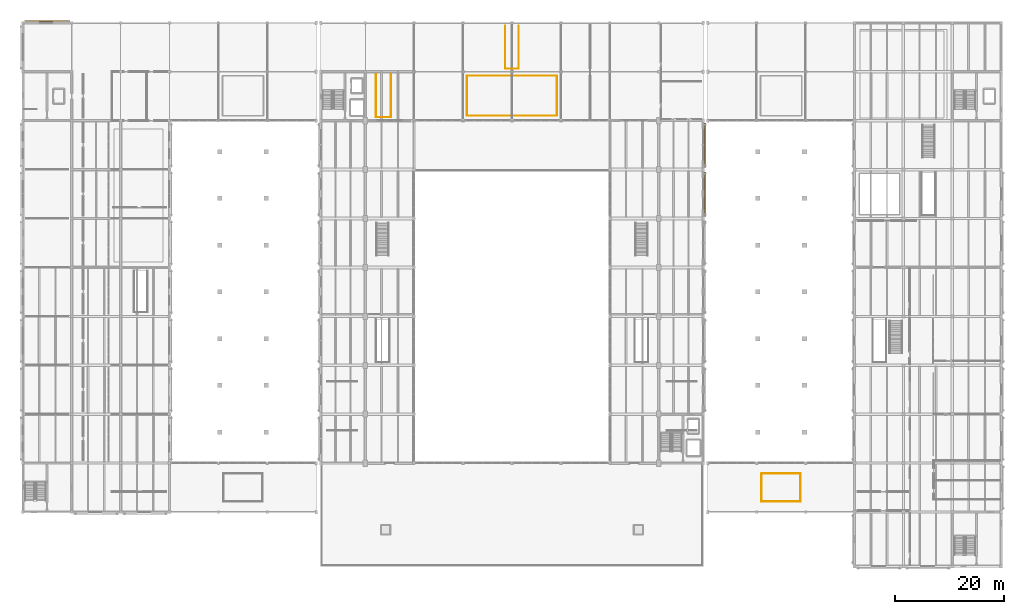
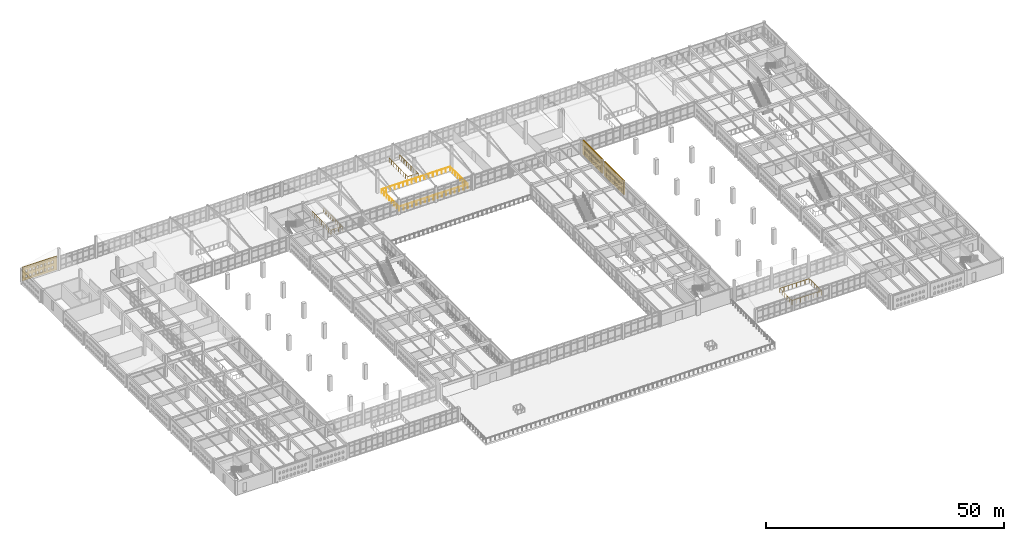
# One storey, part 151 of 156: 4 railings, 3 coverings.
"""IFC4 building model written with IfcOpenShell, lengths in metres."""

from ifc_helpers import new_model, si_unit, direction, frame, origin, origin_2d, place, context, subcontext, project, spatial, polyline, circle, outline, extrude, material, layer, layer_set, type_object, element, save


model = new_model("IFC4")

# Units and contexts
model_context = context("Model", 3, precision=1e-05, world=origin(), true_north=direction((0.0, 1.0)))
body_context = subcontext(model_context, "Body", "Model", "MODEL_VIEW")
ifc_project = project(units=[si_unit("LENGTHUNIT", "METRE"), si_unit("AREAUNIT", "SQUARE_METRE"), si_unit("VOLUMEUNIT", "CUBIC_METRE"), si_unit("PLANEANGLEUNIT", "RADIAN"), si_unit("MASSUNIT", "GRAM", prefix="KILO")], contexts=[model_context])

# Site, building, storey
site_placement = place(None, origin())
site = spatial("IfcSite", under=ifc_project, at=site_placement, CompositionType="ELEMENT")
building_placement = place(site_placement, origin())
building = spatial("IfcBuilding", under=site, at=building_placement, Name="Ornek Quay Market", CompositionType="ELEMENT")
storey_placement = place(building_placement, frame((0.0, 0.0, 4.5)))
storey = spatial("IfcBuildingStorey", under=building, at=storey_placement, Name="L01", CompositionType="ELEMENT", Elevation=4.5)

# Coverings
ifc_material_1 = material(Name="Frost-resistant facing clay brick M200 F100", Category="masonry")
ifc_layer_1 = layer(ifc_material_1, 0.25, Name="Frost-resistant facing clay brick M200 F100", Category="masonry")
ifc_layer_set_1 = layer_set([ifc_layer_1], Name="Frost-resistant facing clay brick M200 F100")
covering_type_1 = type_object("IfcCoveringType", Name="COV-BRICK-LATTICE-250", PredefinedType="CLADDING", material=ifc_layer_set_1)
covering_1_placement = place(storey_placement, frame((0.35009765625, 110.340087890625, 0.0), z_axis=(0.0, 0.0, 1.0), x_axis=(1.0, 0.0, 0.0)))
element("IfcCovering", 1, at=covering_1_placement, inside=storey, type_object=covering_type_1, Name="Arched brick lattice screen BLS-030", PredefinedType="CLADDING", context=body_context, shape_type="SweptSolid", body=[
    extrude(outline(polyline([(0.0, 0.0), (8.2998046875, 0.0), (8.2998046875, 3.47998046875), (0.0, 3.47998046875), (0.0, 0.0)]), holes=[polyline([(0.760009765625, 0.550048828125), (1.239990234375, 0.550048828125), (1.239990234375, 1.050048828125), (1.1201171875, 1.2578125), (0.8798828125, 1.2578125), (0.760009765625, 1.050048828125), (0.760009765625, 0.550048828125)]), polyline([(0.760009765625, 1.949951171875), (1.239990234375, 1.949951171875), (1.239990234375, 2.449951171875), (1.1201171875, 2.65771484375), (0.8798828125, 2.65771484375), (0.760009765625, 2.449951171875), (0.760009765625, 1.949951171875)]), polyline([(1.659912109375, 0.550048828125), (2.139892578125, 0.550048828125), (2.139892578125, 1.050048828125), (2.02001953125, 1.2578125), (1.780029296875, 1.2578125), (1.659912109375, 1.050048828125), (1.659912109375, 0.550048828125)]), polyline([(1.659912109375, 1.949951171875), (2.139892578125, 1.949951171875), (2.139892578125, 2.449951171875), (2.02001953125, 2.65771484375), (1.780029296875, 2.65771484375), (1.659912109375, 2.449951171875), (1.659912109375, 1.949951171875)]), polyline([(2.56005859375, 0.550048828125), (3.0400390625, 0.550048828125), (3.0400390625, 1.050048828125), (2.919921875, 1.2578125), (2.679931640625, 1.2578125), (2.56005859375, 1.050048828125), (2.56005859375, 0.550048828125)]), polyline([(2.56005859375, 1.949951171875), (3.0400390625, 1.949951171875), (3.0400390625, 2.449951171875), (2.919921875, 2.65771484375), (2.679931640625, 2.65771484375), (2.56005859375, 2.449951171875), (2.56005859375, 1.949951171875)]), polyline([(3.4599609375, 0.550048828125), (3.93994140625, 0.550048828125), (3.93994140625, 1.050048828125), (3.820068359375, 1.2578125), (3.580078125, 1.2578125), (3.4599609375, 1.050048828125), (3.4599609375, 0.550048828125)]), polyline([(3.4599609375, 1.949951171875), (3.93994140625, 1.949951171875), (3.93994140625, 2.449951171875), (3.820068359375, 2.65771484375), (3.580078125, 2.65771484375), (3.4599609375, 2.449951171875), (3.4599609375, 1.949951171875)]), polyline([(4.360107421875, 0.550048828125), (4.840087890625, 0.550048828125), (4.840087890625, 1.050048828125), (4.719970703125, 1.2578125), (4.47998046875, 1.2578125), (4.360107421875, 1.050048828125), (4.360107421875, 0.550048828125)]), polyline([(4.360107421875, 1.949951171875), (4.840087890625, 1.949951171875), (4.840087890625, 2.449951171875), (4.719970703125, 2.65771484375), (4.47998046875, 2.65771484375), (4.360107421875, 2.449951171875), (4.360107421875, 1.949951171875)]), polyline([(5.260009765625, 0.550048828125), (5.739990234375, 0.550048828125), (5.739990234375, 1.050048828125), (5.6201171875, 1.2578125), (5.3798828125, 1.2578125), (5.260009765625, 1.050048828125), (5.260009765625, 0.550048828125)]), polyline([(5.260009765625, 1.949951171875), (5.739990234375, 1.949951171875), (5.739990234375, 2.449951171875), (5.6201171875, 2.65771484375), (5.3798828125, 2.65771484375), (5.260009765625, 2.449951171875), (5.260009765625, 1.949951171875)]), polyline([(6.159912109375, 0.550048828125), (6.639892578125, 0.550048828125), (6.639892578125, 1.050048828125), (6.52001953125, 1.2578125), (6.280029296875, 1.2578125), (6.159912109375, 1.050048828125), (6.159912109375, 0.550048828125)]), polyline([(6.159912109375, 1.949951171875), (6.639892578125, 1.949951171875), (6.639892578125, 2.449951171875), (6.52001953125, 2.65771484375), (6.280029296875, 2.65771484375), (6.159912109375, 2.449951171875), (6.159912109375, 1.949951171875)]), polyline([(7.06005859375, 0.550048828125), (7.5400390625, 0.550048828125), (7.5400390625, 1.050048828125), (7.419921875, 1.2578125), (7.179931640625, 1.2578125), (7.06005859375, 1.050048828125), (7.06005859375, 0.550048828125)]), polyline([(7.06005859375, 1.949951171875), (7.5400390625, 1.949951171875), (7.5400390625, 2.449951171875), (7.419921875, 2.65771484375), (7.179931640625, 2.65771484375), (7.06005859375, 2.449951171875), (7.06005859375, 1.949951171875)])]), frame((0.0, 0.125, 0.0), z_axis=(0.0, -1.0, 0.0), x_axis=(1.0, 0.0, 0.0)), (0.0, 0.0, 1.0), 0.25),
])
ifc_layer_2 = layer(ifc_material_1, 0.2900390625, Name="Frost-resistant facing clay brick M200 F100", Category="masonry")
ifc_layer_set_2 = layer_set([ifc_layer_2], Name="Frost-resistant facing clay brick M200 F100")
covering_type_2 = type_object("IfcCoveringType", Name="COV-BRICK-LATTICE-290", PredefinedType="CLADDING", material=ifc_layer_set_2)
covering_2_placement = place(storey_placement, frame((125.5400390625, 74.39990234375, 0.0), z_axis=(0.0, 0.0, 1.0), x_axis=(0.0, 1.0, 0.0)))
element("IfcCovering", 2, at=covering_2_placement, inside=storey, type_object=covering_type_2, Name="Arched brick lattice screen BLS-053", PredefinedType="CLADDING", context=body_context, shape_type="SweptSolid", body=[
    extrude(outline(polyline([(0.0, 0.0), (8.2001953125, 0.0), (8.2001953125, 3.659912109375), (0.0, 3.659912109375), (0.0, 0.0)]), holes=[polyline([(0.7099609375, 0.550048828125), (1.18994140625, 0.550048828125), (1.18994140625, 1.050048828125), (1.070068359375, 1.2578125), (0.830078125, 1.2578125), (0.7099609375, 1.050048828125), (0.7099609375, 0.550048828125)]), polyline([(0.7099609375, 1.949951171875), (1.18994140625, 1.949951171875), (1.18994140625, 2.449951171875), (1.070068359375, 2.65771484375), (0.830078125, 2.65771484375), (0.7099609375, 2.449951171875), (0.7099609375, 1.949951171875)]), polyline([(1.610107421875, 0.550048828125), (2.090087890625, 0.550048828125), (2.090087890625, 1.050048828125), (1.969970703125, 1.2578125), (1.72998046875, 1.2578125), (1.610107421875, 1.050048828125), (1.610107421875, 0.550048828125)]), polyline([(1.610107421875, 1.949951171875), (2.090087890625, 1.949951171875), (2.090087890625, 2.449951171875), (1.969970703125, 2.65771484375), (1.72998046875, 2.65771484375), (1.610107421875, 2.449951171875), (1.610107421875, 1.949951171875)]), polyline([(2.510009765625, 0.550048828125), (2.989990234375, 0.550048828125), (2.989990234375, 1.050048828125), (2.8701171875, 1.2578125), (2.6298828125, 1.2578125), (2.510009765625, 1.050048828125), (2.510009765625, 0.550048828125)]), polyline([(2.510009765625, 1.949951171875), (2.989990234375, 1.949951171875), (2.989990234375, 2.449951171875), (2.8701171875, 2.65771484375), (2.6298828125, 2.65771484375), (2.510009765625, 2.449951171875), (2.510009765625, 1.949951171875)]), polyline([(3.409912109375, 0.550048828125), (3.889892578125, 0.550048828125), (3.889892578125, 1.050048828125), (3.77001953125, 1.2578125), (3.530029296875, 1.2578125), (3.409912109375, 1.050048828125), (3.409912109375, 0.550048828125)]), polyline([(3.409912109375, 1.949951171875), (3.889892578125, 1.949951171875), (3.889892578125, 2.449951171875), (3.77001953125, 2.65771484375), (3.530029296875, 2.65771484375), (3.409912109375, 2.449951171875), (3.409912109375, 1.949951171875)]), polyline([(4.31005859375, 0.550048828125), (4.7900390625, 0.550048828125), (4.7900390625, 1.050048828125), (4.669921875, 1.2578125), (4.429931640625, 1.2578125), (4.31005859375, 1.050048828125), (4.31005859375, 0.550048828125)]), polyline([(4.31005859375, 1.949951171875), (4.7900390625, 1.949951171875), (4.7900390625, 2.449951171875), (4.669921875, 2.65771484375), (4.429931640625, 2.65771484375), (4.31005859375, 2.449951171875), (4.31005859375, 1.949951171875)]), polyline([(5.2099609375, 0.550048828125), (5.68994140625, 0.550048828125), (5.68994140625, 1.050048828125), (5.570068359375, 1.2578125), (5.330078125, 1.2578125), (5.2099609375, 1.050048828125), (5.2099609375, 0.550048828125)]), polyline([(5.2099609375, 1.949951171875), (5.68994140625, 1.949951171875), (5.68994140625, 2.449951171875), (5.570068359375, 2.65771484375), (5.330078125, 2.65771484375), (5.2099609375, 2.449951171875), (5.2099609375, 1.949951171875)]), polyline([(6.110107421875, 0.550048828125), (6.590087890625, 0.550048828125), (6.590087890625, 1.050048828125), (6.469970703125, 1.2578125), (6.22998046875, 1.2578125), (6.110107421875, 1.050048828125), (6.110107421875, 0.550048828125)]), polyline([(6.110107421875, 1.949951171875), (6.590087890625, 1.949951171875), (6.590087890625, 2.449951171875), (6.469970703125, 2.65771484375), (6.22998046875, 2.65771484375), (6.110107421875, 2.449951171875), (6.110107421875, 1.949951171875)]), polyline([(7.010009765625, 0.550048828125), (7.489990234375, 0.550048828125), (7.489990234375, 1.050048828125), (7.3701171875, 1.2578125), (7.1298828125, 1.2578125), (7.010009765625, 1.050048828125), (7.010009765625, 0.550048828125)]), polyline([(7.010009765625, 1.949951171875), (7.489990234375, 1.949951171875), (7.489990234375, 2.449951171875), (7.3701171875, 2.65771484375), (7.1298828125, 2.65771484375), (7.010009765625, 2.449951171875), (7.010009765625, 1.949951171875)])]), frame((0.0, 0.14501953125, 0.0), z_axis=(0.0, -1.0, 0.0), x_axis=(1.0, 0.0, 0.0)), (0.0, 0.0, 1.0), 0.2900390625),
])
covering_3_placement = place(storey_placement, frame((125.5400390625, 83.39990234375, 0.0), z_axis=(0.0, 0.0, 1.0), x_axis=(0.0, 1.0, 0.0)))
element("IfcCovering", 3, at=covering_3_placement, inside=storey, type_object=covering_type_2, Name="Arched brick lattice screen BLS-054", PredefinedType="CLADDING", context=body_context, shape_type="SweptSolid", body=[
    extrude(outline(polyline([(0.0, 0.0), (8.2001953125, 0.0), (8.2001953125, 3.659912109375), (0.0, 3.659912109375), (0.0, 0.0)]), holes=[polyline([(0.7099609375, 0.550048828125), (1.18994140625, 0.550048828125), (1.18994140625, 1.050048828125), (1.070068359375, 1.2578125), (0.830078125, 1.2578125), (0.7099609375, 1.050048828125), (0.7099609375, 0.550048828125)]), polyline([(0.7099609375, 1.949951171875), (1.18994140625, 1.949951171875), (1.18994140625, 2.449951171875), (1.070068359375, 2.65771484375), (0.830078125, 2.65771484375), (0.7099609375, 2.449951171875), (0.7099609375, 1.949951171875)]), polyline([(1.610107421875, 0.550048828125), (2.090087890625, 0.550048828125), (2.090087890625, 1.050048828125), (1.969970703125, 1.2578125), (1.72998046875, 1.2578125), (1.610107421875, 1.050048828125), (1.610107421875, 0.550048828125)]), polyline([(1.610107421875, 1.949951171875), (2.090087890625, 1.949951171875), (2.090087890625, 2.449951171875), (1.969970703125, 2.65771484375), (1.72998046875, 2.65771484375), (1.610107421875, 2.449951171875), (1.610107421875, 1.949951171875)]), polyline([(2.510009765625, 0.550048828125), (2.989990234375, 0.550048828125), (2.989990234375, 1.050048828125), (2.8701171875, 1.2578125), (2.6298828125, 1.2578125), (2.510009765625, 1.050048828125), (2.510009765625, 0.550048828125)]), polyline([(2.510009765625, 1.949951171875), (2.989990234375, 1.949951171875), (2.989990234375, 2.449951171875), (2.8701171875, 2.65771484375), (2.6298828125, 2.65771484375), (2.510009765625, 2.449951171875), (2.510009765625, 1.949951171875)]), polyline([(3.409912109375, 0.550048828125), (3.889892578125, 0.550048828125), (3.889892578125, 1.050048828125), (3.77001953125, 1.2578125), (3.530029296875, 1.2578125), (3.409912109375, 1.050048828125), (3.409912109375, 0.550048828125)]), polyline([(3.409912109375, 1.949951171875), (3.889892578125, 1.949951171875), (3.889892578125, 2.449951171875), (3.77001953125, 2.65771484375), (3.530029296875, 2.65771484375), (3.409912109375, 2.449951171875), (3.409912109375, 1.949951171875)]), polyline([(4.31005859375, 0.550048828125), (4.7900390625, 0.550048828125), (4.7900390625, 1.050048828125), (4.669921875, 1.2578125), (4.429931640625, 1.2578125), (4.31005859375, 1.050048828125), (4.31005859375, 0.550048828125)]), polyline([(4.31005859375, 1.949951171875), (4.7900390625, 1.949951171875), (4.7900390625, 2.449951171875), (4.669921875, 2.65771484375), (4.429931640625, 2.65771484375), (4.31005859375, 2.449951171875), (4.31005859375, 1.949951171875)]), polyline([(5.2099609375, 0.550048828125), (5.68994140625, 0.550048828125), (5.68994140625, 1.050048828125), (5.570068359375, 1.2578125), (5.330078125, 1.2578125), (5.2099609375, 1.050048828125), (5.2099609375, 0.550048828125)]), polyline([(5.2099609375, 1.949951171875), (5.68994140625, 1.949951171875), (5.68994140625, 2.449951171875), (5.570068359375, 2.65771484375), (5.330078125, 2.65771484375), (5.2099609375, 2.449951171875), (5.2099609375, 1.949951171875)]), polyline([(6.110107421875, 0.550048828125), (6.590087890625, 0.550048828125), (6.590087890625, 1.050048828125), (6.469970703125, 1.2578125), (6.22998046875, 1.2578125), (6.110107421875, 1.050048828125), (6.110107421875, 0.550048828125)]), polyline([(6.110107421875, 1.949951171875), (6.590087890625, 1.949951171875), (6.590087890625, 2.449951171875), (6.469970703125, 2.65771484375), (6.22998046875, 2.65771484375), (6.110107421875, 2.449951171875), (6.110107421875, 1.949951171875)]), polyline([(7.010009765625, 0.550048828125), (7.489990234375, 0.550048828125), (7.489990234375, 1.050048828125), (7.3701171875, 1.2578125), (7.1298828125, 1.2578125), (7.010009765625, 1.050048828125), (7.010009765625, 0.550048828125)]), polyline([(7.010009765625, 1.949951171875), (7.489990234375, 1.949951171875), (7.489990234375, 2.449951171875), (7.3701171875, 2.65771484375), (7.1298828125, 2.65771484375), (7.010009765625, 2.449951171875), (7.010009765625, 1.949951171875)])]), frame((0.0, 0.14501953125, 0.0), z_axis=(0.0, -1.0, 0.0), x_axis=(1.0, 0.0, 0.0)), (0.0, 0.0, 1.0), 0.2900390625),
])

# Railings
ifc_material_2 = material(Name="Painted steel S355 and vertical infill bars", Category="steel")
railing_type = type_object("IfcRailingType", Name="RL-GUARD-GAL-1100", PredefinedType="GUARDRAIL", material=ifc_material_2)
railing_1_placement = place(storey_placement, frame((64.9599609375, 100.5, 0.0)))
element("IfcRailing", 4, at=railing_1_placement, inside=storey, type_object=railing_type, Name="Railing GR-01-089", PredefinedType="GUARDRAIL", context=body_context, shape_type="SweptSolid", body=[
    extrude(circle(Radius=0.02392578125, at=origin_2d()), frame((0.0, 0.0, 1.09619140625), z_axis=(0.0, -1.0, 0.0), x_axis=(1.0, 0.0, 0.0)), (0.0, 0.0, 1.0), 7.830078125),
    extrude(circle(Radius=0.02392578125, at=origin_2d()), frame((0.030029296875, -7.860107421875, 1.09619140625), z_axis=(1.0, 0.0, 0.0), x_axis=(0.0, 1.0, 0.0)), (0.0, 0.0, 1.0), 2.719970703125),
    extrude(circle(Radius=0.02392578125, at=origin_2d()), frame((2.780029296875, -7.830078125, 1.09619140625), z_axis=(0.0, 1.0, 0.0), x_axis=(-1.0, 0.0, 0.0)), (0.0, 0.0, 1.0), 7.830078125),
    extrude(circle(Radius=0.02099609375, at=origin_2d()), origin(), (0.0, 0.0, 1.0), 1.068115234375),
    extrude(circle(Radius=0.02099609375, at=origin_2d()), frame((0.0, -0.982421875, 0.0)), (0.0, 0.0, 1.0), 1.068115234375),
    extrude(circle(Radius=0.02099609375, at=origin_2d()), frame((0.0, -1.965087890625, 0.0)), (0.0, 0.0, 1.0), 1.068115234375),
    extrude(circle(Radius=0.02099609375, at=origin_2d()), frame((0.0, -2.947509765625, 0.0)), (0.0, 0.0, 1.0), 1.068115234375),
    extrude(circle(Radius=0.02099609375, at=origin_2d()), frame((0.0, -3.93017578125, 0.0)), (0.0, 0.0, 1.0), 1.068115234375),
    extrude(circle(Radius=0.02099609375, at=origin_2d()), frame((0.0, -4.91259765625, 0.0)), (0.0, 0.0, 1.0), 1.068115234375),
    extrude(circle(Radius=0.02099609375, at=origin_2d()), frame((0.0, -5.89501953125, 0.0)), (0.0, 0.0, 1.0), 1.068115234375),
    extrude(circle(Radius=0.02099609375, at=origin_2d()), frame((0.0, -6.877685546875, 0.0)), (0.0, 0.0, 1.0), 1.068115234375),
    extrude(circle(Radius=0.02099609375, at=origin_2d()), frame((0.0, -7.860107421875, 0.0)), (0.0, 0.0, 1.0), 1.068115234375),
    extrude(circle(Radius=0.02099609375, at=origin_2d()), frame((0.9267578125, -7.860107421875, 0.0)), (0.0, 0.0, 1.0), 1.068115234375),
    extrude(circle(Radius=0.02099609375, at=origin_2d()), frame((1.853271484375, -7.860107421875, 0.0)), (0.0, 0.0, 1.0), 1.068115234375),
    extrude(circle(Radius=0.02099609375, at=origin_2d()), frame((2.780029296875, -7.860107421875, 0.0)), (0.0, 0.0, 1.0), 1.068115234375),
    extrude(circle(Radius=0.02099609375, at=origin_2d()), frame((2.780029296875, -6.877685546875, 0.0)), (0.0, 0.0, 1.0), 1.068115234375),
    extrude(circle(Radius=0.02099609375, at=origin_2d()), frame((2.780029296875, -5.89501953125, 0.0)), (0.0, 0.0, 1.0), 1.068115234375),
    extrude(circle(Radius=0.02099609375, at=origin_2d()), frame((2.780029296875, -4.91259765625, 0.0)), (0.0, 0.0, 1.0), 1.068115234375),
    extrude(circle(Radius=0.02099609375, at=origin_2d()), frame((2.780029296875, -3.93017578125, 0.0)), (0.0, 0.0, 1.0), 1.068115234375),
    extrude(circle(Radius=0.02099609375, at=origin_2d()), frame((2.780029296875, -2.947509765625, 0.0)), (0.0, 0.0, 1.0), 1.068115234375),
    extrude(circle(Radius=0.02099609375, at=origin_2d()), frame((2.780029296875, -1.965087890625, 0.0)), (0.0, 0.0, 1.0), 1.068115234375),
    extrude(circle(Radius=0.02099609375, at=origin_2d()), frame((2.780029296875, -0.982421875, 0.0)), (0.0, 0.0, 1.0), 1.068115234375),
    extrude(circle(Radius=0.02099609375, at=origin_2d()), frame((2.780029296875, 0.0, 0.0)), (0.0, 0.0, 1.0), 1.068115234375),
])
railing_2_placement = place(storey_placement, frame((88.760009765625, 109.39990234375, 0.0)))
element("IfcRailing", 5, at=railing_2_placement, inside=storey, type_object=railing_type, Name="Railing GR-01-119", PredefinedType="GUARDRAIL", context=body_context, shape_type="SweptSolid", body=[
    extrude(circle(Radius=0.02392578125, at=origin_2d()), frame((0.0, 0.0, 1.09619140625), z_axis=(0.0, -1.0, 0.0), x_axis=(1.0, 0.0, 0.0)), (0.0, 0.0, 1.0), 7.829833984375),
    extrude(circle(Radius=0.02392578125, at=origin_2d()), frame((0.030029296875, -7.85986328125, 1.09619140625), z_axis=(1.0, 0.0, 0.0), x_axis=(0.0, 1.0, 0.0)), (0.0, 0.0, 1.0), 2.419921875),
    extrude(circle(Radius=0.02392578125, at=origin_2d()), frame((2.47998046875, -7.829833984375, 1.09619140625), z_axis=(0.0, 1.0, 0.0), x_axis=(-1.0, 0.0, 0.0)), (0.0, 0.0, 1.0), 7.829833984375),
    extrude(circle(Radius=0.02099609375, at=origin_2d()), origin(), (0.0, 0.0, 1.0), 1.068115234375),
    extrude(circle(Radius=0.02099609375, at=origin_2d()), frame((0.0, -0.982421875, 0.0)), (0.0, 0.0, 1.0), 1.068115234375),
    extrude(circle(Radius=0.02099609375, at=origin_2d()), frame((0.0, -1.96484375, 0.0)), (0.0, 0.0, 1.0), 1.068115234375),
    extrude(circle(Radius=0.02099609375, at=origin_2d()), frame((0.0, -2.947509765625, 0.0)), (0.0, 0.0, 1.0), 1.068115234375),
    extrude(circle(Radius=0.02099609375, at=origin_2d()), frame((0.0, -3.929931640625, 0.0)), (0.0, 0.0, 1.0), 1.068115234375),
    extrude(circle(Radius=0.02099609375, at=origin_2d()), frame((0.0, -4.912353515625, 0.0)), (0.0, 0.0, 1.0), 1.068115234375),
    extrude(circle(Radius=0.02099609375, at=origin_2d()), frame((0.0, -5.89501953125, 0.0)), (0.0, 0.0, 1.0), 1.068115234375),
    extrude(circle(Radius=0.02099609375, at=origin_2d()), frame((0.0, -6.87744140625, 0.0)), (0.0, 0.0, 1.0), 1.068115234375),
    extrude(circle(Radius=0.02099609375, at=origin_2d()), frame((0.0, -7.85986328125, 0.0)), (0.0, 0.0, 1.0), 1.068115234375),
    extrude(circle(Radius=0.02099609375, at=origin_2d()), frame((0.82666015625, -7.85986328125, 0.0)), (0.0, 0.0, 1.0), 1.068115234375),
    extrude(circle(Radius=0.02099609375, at=origin_2d()), frame((1.6533203125, -7.85986328125, 0.0)), (0.0, 0.0, 1.0), 1.068115234375),
    extrude(circle(Radius=0.02099609375, at=origin_2d()), frame((2.47998046875, -7.85986328125, 0.0)), (0.0, 0.0, 1.0), 1.068115234375),
    extrude(circle(Radius=0.02099609375, at=origin_2d()), frame((2.47998046875, -6.87744140625, 0.0)), (0.0, 0.0, 1.0), 1.068115234375),
    extrude(circle(Radius=0.02099609375, at=origin_2d()), frame((2.47998046875, -5.89501953125, 0.0)), (0.0, 0.0, 1.0), 1.068115234375),
    extrude(circle(Radius=0.02099609375, at=origin_2d()), frame((2.47998046875, -4.912353515625, 0.0)), (0.0, 0.0, 1.0), 1.068115234375),
    extrude(circle(Radius=0.02099609375, at=origin_2d()), frame((2.47998046875, -3.929931640625, 0.0)), (0.0, 0.0, 1.0), 1.068115234375),
    extrude(circle(Radius=0.02099609375, at=origin_2d()), frame((2.47998046875, -2.947509765625, 0.0)), (0.0, 0.0, 1.0), 1.068115234375),
    extrude(circle(Radius=0.02099609375, at=origin_2d()), frame((2.47998046875, -1.96484375, 0.0)), (0.0, 0.0, 1.0), 1.068115234375),
    extrude(circle(Radius=0.02099609375, at=origin_2d()), frame((2.47998046875, -0.982421875, 0.0)), (0.0, 0.0, 1.0), 1.068115234375),
    extrude(circle(Radius=0.02099609375, at=origin_2d()), frame((2.47998046875, 0.0, 0.0)), (0.0, 0.0, 1.0), 1.068115234375),
])
railing_3_placement = place(storey_placement, frame((81.719970703125, 92.919921875, 0.0)))
element("IfcRailing", 6, at=railing_3_placement, inside=storey, type_object=railing_type, Name="Railing GR-01-131", PredefinedType="GUARDRAIL", context=body_context, shape_type="SweptSolid", body=[
    extrude(circle(Radius=0.02392578125, at=origin_2d()), frame((0.0, 0.0, 1.09619140625), z_axis=(1.0, 0.0, 0.0), x_axis=(0.0, 1.0, 0.0)), (0.0, 0.0, 1.0), 16.530029296875),
    extrude(circle(Radius=0.02392578125, at=origin_2d()), frame((16.56005859375, 0.030029296875, 1.09619140625), z_axis=(0.0, 1.0, 0.0), x_axis=(-1.0, 0.0, 0.0)), (0.0, 0.0, 1.0), 7.300048828125),
    extrude(circle(Radius=0.02392578125, at=origin_2d()), frame((16.530029296875, 7.360107421875, 1.09619140625), z_axis=(-1.0, 0.0, 0.0), x_axis=(0.0, -1.0, 0.0)), (0.0, 0.0, 1.0), 16.5),
    extrude(circle(Radius=0.02392578125, at=origin_2d()), frame((0.0, 7.330078125, 1.09619140625), z_axis=(0.0, -1.0, 0.0), x_axis=(1.0, 0.0, 0.0)), (0.0, 0.0, 1.0), 7.330078125),
    extrude(circle(Radius=0.02099609375, at=origin_2d()), origin(), (0.0, 0.0, 1.0), 1.068115234375),
    extrude(circle(Radius=0.02099609375, at=origin_2d()), frame((1.034912109375, 0.0, 0.0)), (0.0, 0.0, 1.0), 1.068115234375),
    extrude(circle(Radius=0.02099609375, at=origin_2d()), frame((2.070068359375, 0.0, 0.0)), (0.0, 0.0, 1.0), 1.068115234375),
    extrude(circle(Radius=0.02099609375, at=origin_2d()), frame((3.10498046875, 0.0, 0.0)), (0.0, 0.0, 1.0), 1.068115234375),
    extrude(circle(Radius=0.02099609375, at=origin_2d()), frame((4.14013671875, 0.0, 0.0)), (0.0, 0.0, 1.0), 1.068115234375),
    extrude(circle(Radius=0.02099609375, at=origin_2d()), frame((5.175048828125, 0.0, 0.0)), (0.0, 0.0, 1.0), 1.068115234375),
    extrude(circle(Radius=0.02099609375, at=origin_2d()), frame((6.2099609375, 0.0, 0.0)), (0.0, 0.0, 1.0), 1.068115234375),
    extrude(circle(Radius=0.02099609375, at=origin_2d()), frame((7.2451171875, 0.0, 0.0)), (0.0, 0.0, 1.0), 1.068115234375),
    extrude(circle(Radius=0.02099609375, at=origin_2d()), frame((8.280029296875, 0.0, 0.0)), (0.0, 0.0, 1.0), 1.068115234375),
    extrude(circle(Radius=0.02099609375, at=origin_2d()), frame((9.31494140625, 0.0, 0.0)), (0.0, 0.0, 1.0), 1.068115234375),
    extrude(circle(Radius=0.02099609375, at=origin_2d()), frame((10.35009765625, 0.0, 0.0)), (0.0, 0.0, 1.0), 1.068115234375),
    extrude(circle(Radius=0.02099609375, at=origin_2d()), frame((11.385009765625, 0.0, 0.0)), (0.0, 0.0, 1.0), 1.068115234375),
    extrude(circle(Radius=0.02099609375, at=origin_2d()), frame((12.419921875, 0.0, 0.0)), (0.0, 0.0, 1.0), 1.068115234375),
    extrude(circle(Radius=0.02099609375, at=origin_2d()), frame((13.455078125, 0.0, 0.0)), (0.0, 0.0, 1.0), 1.068115234375),
    extrude(circle(Radius=0.02099609375, at=origin_2d()), frame((14.489990234375, 0.0, 0.0)), (0.0, 0.0, 1.0), 1.068115234375),
    extrude(circle(Radius=0.02099609375, at=origin_2d()), frame((15.525146484375, 0.0, 0.0)), (0.0, 0.0, 1.0), 1.068115234375),
    extrude(circle(Radius=0.02099609375, at=origin_2d()), frame((16.56005859375, 0.0, 0.0)), (0.0, 0.0, 1.0), 1.068115234375),
    extrude(circle(Radius=0.02099609375, at=origin_2d()), frame((16.56005859375, 1.051513671875, 0.0)), (0.0, 0.0, 1.0), 1.068115234375),
    extrude(circle(Radius=0.02099609375, at=origin_2d()), frame((16.56005859375, 2.102783203125, 0.0)), (0.0, 0.0, 1.0), 1.068115234375),
    extrude(circle(Radius=0.02099609375, at=origin_2d()), frame((16.56005859375, 3.154296875, 0.0)), (0.0, 0.0, 1.0), 1.068115234375),
    extrude(circle(Radius=0.02099609375, at=origin_2d()), frame((16.56005859375, 4.205810546875, 0.0)), (0.0, 0.0, 1.0), 1.068115234375),
    extrude(circle(Radius=0.02099609375, at=origin_2d()), frame((16.56005859375, 5.25732421875, 0.0)), (0.0, 0.0, 1.0), 1.068115234375),
    extrude(circle(Radius=0.02099609375, at=origin_2d()), frame((16.56005859375, 6.30859375, 0.0)), (0.0, 0.0, 1.0), 1.068115234375),
    extrude(circle(Radius=0.02099609375, at=origin_2d()), frame((16.56005859375, 7.360107421875, 0.0)), (0.0, 0.0, 1.0), 1.068115234375),
    extrude(circle(Radius=0.02099609375, at=origin_2d()), frame((15.525146484375, 7.360107421875, 0.0)), (0.0, 0.0, 1.0), 1.068115234375),
    extrude(circle(Radius=0.02099609375, at=origin_2d()), frame((14.489990234375, 7.360107421875, 0.0)), (0.0, 0.0, 1.0), 1.068115234375),
    extrude(circle(Radius=0.02099609375, at=origin_2d()), frame((13.455078125, 7.360107421875, 0.0)), (0.0, 0.0, 1.0), 1.068115234375),
    extrude(circle(Radius=0.02099609375, at=origin_2d()), frame((12.419921875, 7.360107421875, 0.0)), (0.0, 0.0, 1.0), 1.068115234375),
    extrude(circle(Radius=0.02099609375, at=origin_2d()), frame((11.385009765625, 7.360107421875, 0.0)), (0.0, 0.0, 1.0), 1.068115234375),
    extrude(circle(Radius=0.02099609375, at=origin_2d()), frame((10.35009765625, 7.360107421875, 0.0)), (0.0, 0.0, 1.0), 1.068115234375),
    extrude(circle(Radius=0.02099609375, at=origin_2d()), frame((9.31494140625, 7.360107421875, 0.0)), (0.0, 0.0, 1.0), 1.068115234375),
    extrude(circle(Radius=0.02099609375, at=origin_2d()), frame((8.280029296875, 7.360107421875, 0.0)), (0.0, 0.0, 1.0), 1.068115234375),
    extrude(circle(Radius=0.02099609375, at=origin_2d()), frame((7.2451171875, 7.360107421875, 0.0)), (0.0, 0.0, 1.0), 1.068115234375),
    extrude(circle(Radius=0.02099609375, at=origin_2d()), frame((6.2099609375, 7.360107421875, 0.0)), (0.0, 0.0, 1.0), 1.068115234375),
    extrude(circle(Radius=0.02099609375, at=origin_2d()), frame((5.175048828125, 7.360107421875, 0.0)), (0.0, 0.0, 1.0), 1.068115234375),
    extrude(circle(Radius=0.02099609375, at=origin_2d()), frame((4.14013671875, 7.360107421875, 0.0)), (0.0, 0.0, 1.0), 1.068115234375),
    extrude(circle(Radius=0.02099609375, at=origin_2d()), frame((3.10498046875, 7.360107421875, 0.0)), (0.0, 0.0, 1.0), 1.068115234375),
    extrude(circle(Radius=0.02099609375, at=origin_2d()), frame((2.070068359375, 7.360107421875, 0.0)), (0.0, 0.0, 1.0), 1.068115234375),
    extrude(circle(Radius=0.02099609375, at=origin_2d()), frame((1.034912109375, 7.360107421875, 0.0)), (0.0, 0.0, 1.0), 1.068115234375),
    extrude(circle(Radius=0.02099609375, at=origin_2d()), frame((0.0, 7.360107421875, 0.0)), (0.0, 0.0, 1.0), 1.068115234375),
    extrude(circle(Radius=0.02099609375, at=origin_2d()), frame((0.0, 6.30859375, 0.0)), (0.0, 0.0, 1.0), 1.068115234375),
    extrude(circle(Radius=0.02099609375, at=origin_2d()), frame((0.0, 5.25732421875, 0.0)), (0.0, 0.0, 1.0), 1.068115234375),
    extrude(circle(Radius=0.02099609375, at=origin_2d()), frame((0.0, 4.205810546875, 0.0)), (0.0, 0.0, 1.0), 1.068115234375),
    extrude(circle(Radius=0.02099609375, at=origin_2d()), frame((0.0, 3.154296875, 0.0)), (0.0, 0.0, 1.0), 1.068115234375),
    extrude(circle(Radius=0.02099609375, at=origin_2d()), frame((0.0, 2.102783203125, 0.0)), (0.0, 0.0, 1.0), 1.068115234375),
    extrude(circle(Radius=0.02099609375, at=origin_2d()), frame((0.0, 1.051513671875, 0.0)), (0.0, 0.0, 1.0), 1.068115234375),
])
railing_4_placement = place(storey_placement, frame((135.919921875, 21.919921875, 0.0)))
element("IfcRailing", 7, at=railing_4_placement, inside=storey, type_object=railing_type, Name="Railing GR-01-135", PredefinedType="GUARDRAIL", context=body_context, shape_type="SweptSolid", body=[
    extrude(circle(Radius=0.02392578125, at=origin_2d()), frame((0.0, 0.0, 1.09619140625), z_axis=(1.0, 0.0, 0.0), x_axis=(0.0, 1.0, 0.0)), (0.0, 0.0, 1.0), 7.130126953125),
    extrude(circle(Radius=0.02392578125, at=origin_2d()), frame((7.16015625, 0.030029296875, 1.09619140625), z_axis=(0.0, 1.0, 0.0), x_axis=(-1.0, 0.0, 0.0)), (0.0, 0.0, 1.0), 5.10009765625),
    extrude(circle(Radius=0.02392578125, at=origin_2d()), frame((7.130126953125, 5.16015625, 1.09619140625), z_axis=(-1.0, 0.0, 0.0), x_axis=(0.0, -1.0, 0.0)), (0.0, 0.0, 1.0), 7.10009765625),
    extrude(circle(Radius=0.02392578125, at=origin_2d()), frame((0.0, 5.130126953125, 1.09619140625), z_axis=(0.0, -1.0, 0.0), x_axis=(1.0, 0.0, 0.0)), (0.0, 0.0, 1.0), 5.130126953125),
    extrude(circle(Radius=0.02099609375, at=origin_2d()), origin(), (0.0, 0.0, 1.0), 1.068115234375),
    extrude(circle(Radius=0.02099609375, at=origin_2d()), frame((1.02294921875, 0.0, 0.0)), (0.0, 0.0, 1.0), 1.068115234375),
    extrude(circle(Radius=0.02099609375, at=origin_2d()), frame((2.045654296875, 0.0, 0.0)), (0.0, 0.0, 1.0), 1.068115234375),
    extrude(circle(Radius=0.02099609375, at=origin_2d()), frame((3.068603515625, 0.0, 0.0)), (0.0, 0.0, 1.0), 1.068115234375),
    extrude(circle(Radius=0.02099609375, at=origin_2d()), frame((4.091552734375, 0.0, 0.0)), (0.0, 0.0, 1.0), 1.068115234375),
    extrude(circle(Radius=0.02099609375, at=origin_2d()), frame((5.114501953125, 0.0, 0.0)), (0.0, 0.0, 1.0), 1.068115234375),
    extrude(circle(Radius=0.02099609375, at=origin_2d()), frame((6.13720703125, 0.0, 0.0)), (0.0, 0.0, 1.0), 1.068115234375),
    extrude(circle(Radius=0.02099609375, at=origin_2d()), frame((7.16015625, 0.0, 0.0)), (0.0, 0.0, 1.0), 1.068115234375),
    extrude(circle(Radius=0.02099609375, at=origin_2d()), frame((7.16015625, 1.031982421875, 0.0)), (0.0, 0.0, 1.0), 1.068115234375),
    extrude(circle(Radius=0.02099609375, at=origin_2d()), frame((7.16015625, 2.06396484375, 0.0)), (0.0, 0.0, 1.0), 1.068115234375),
    extrude(circle(Radius=0.02099609375, at=origin_2d()), frame((7.16015625, 3.09619140625, 0.0)), (0.0, 0.0, 1.0), 1.068115234375),
    extrude(circle(Radius=0.02099609375, at=origin_2d()), frame((7.16015625, 4.128173828125, 0.0)), (0.0, 0.0, 1.0), 1.068115234375),
    extrude(circle(Radius=0.02099609375, at=origin_2d()), frame((7.16015625, 5.16015625, 0.0)), (0.0, 0.0, 1.0), 1.068115234375),
    extrude(circle(Radius=0.02099609375, at=origin_2d()), frame((6.13720703125, 5.16015625, 0.0)), (0.0, 0.0, 1.0), 1.068115234375),
    extrude(circle(Radius=0.02099609375, at=origin_2d()), frame((5.114501953125, 5.16015625, 0.0)), (0.0, 0.0, 1.0), 1.068115234375),
    extrude(circle(Radius=0.02099609375, at=origin_2d()), frame((4.091552734375, 5.16015625, 0.0)), (0.0, 0.0, 1.0), 1.068115234375),
    extrude(circle(Radius=0.02099609375, at=origin_2d()), frame((3.068603515625, 5.16015625, 0.0)), (0.0, 0.0, 1.0), 1.068115234375),
    extrude(circle(Radius=0.02099609375, at=origin_2d()), frame((2.045654296875, 5.16015625, 0.0)), (0.0, 0.0, 1.0), 1.068115234375),
    extrude(circle(Radius=0.02099609375, at=origin_2d()), frame((1.02294921875, 5.16015625, 0.0)), (0.0, 0.0, 1.0), 1.068115234375),
    extrude(circle(Radius=0.02099609375, at=origin_2d()), frame((0.0, 5.16015625, 0.0)), (0.0, 0.0, 1.0), 1.068115234375),
    extrude(circle(Radius=0.02099609375, at=origin_2d()), frame((0.0, 4.128173828125, 0.0)), (0.0, 0.0, 1.0), 1.068115234375),
    extrude(circle(Radius=0.02099609375, at=origin_2d()), frame((0.0, 3.09619140625, 0.0)), (0.0, 0.0, 1.0), 1.068115234375),
    extrude(circle(Radius=0.02099609375, at=origin_2d()), frame((0.0, 2.06396484375, 0.0)), (0.0, 0.0, 1.0), 1.068115234375),
    extrude(circle(Radius=0.02099609375, at=origin_2d()), frame((0.0, 1.031982421875, 0.0)), (0.0, 0.0, 1.0), 1.068115234375),
])

save(model, "model.ifc")
